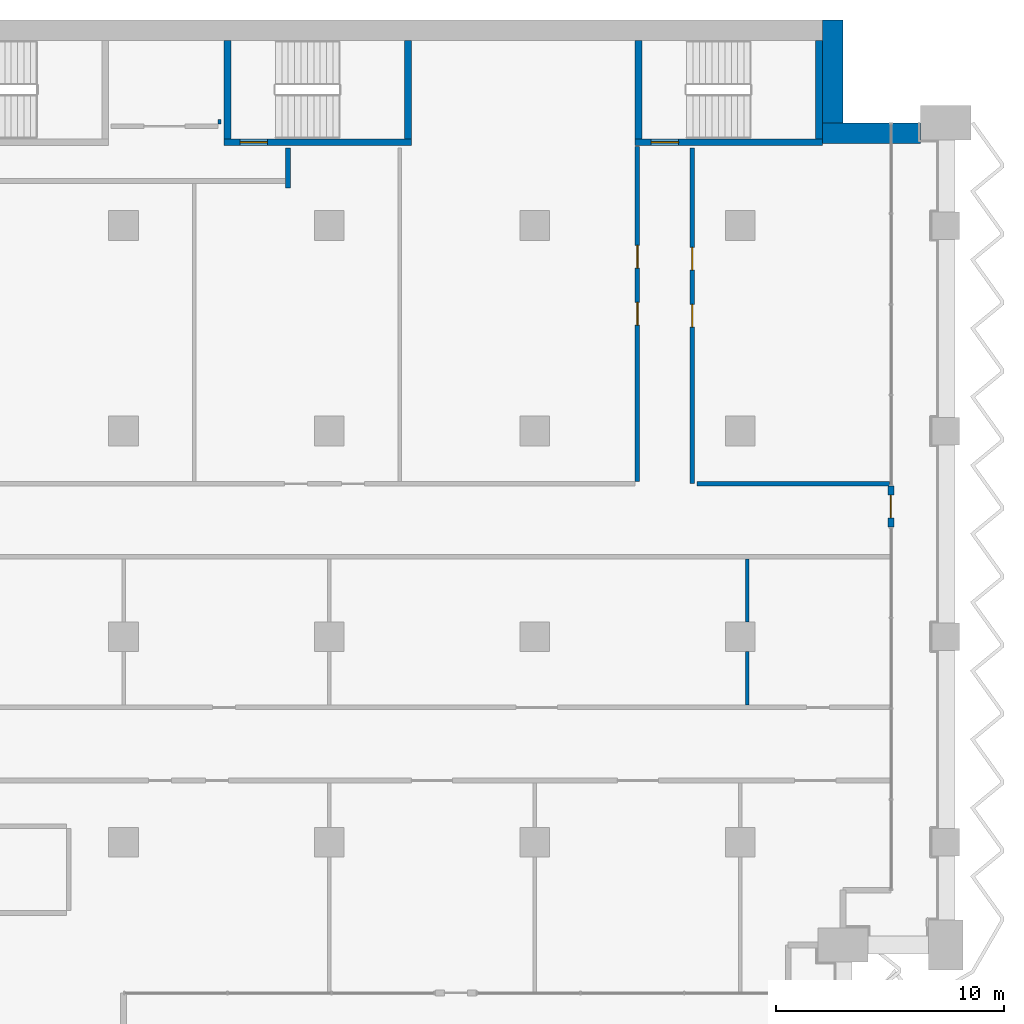
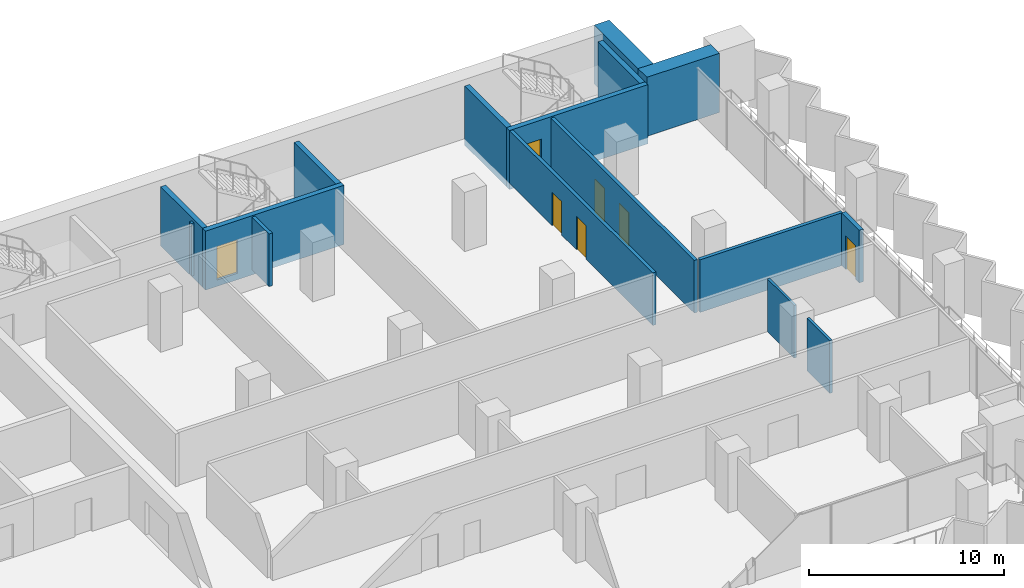
# One storey, part 15 of 23: 16 walls, 7 doors, 7 openings.
"""IFC4 building model written with IfcOpenShell, lengths in metres."""

from ifc_helpers import new_model, si_unit, direction, frame, frame_2d, origin, place, context, subcontext, project, spatial, rectangle, extrude, material, layer, layer_set, type_object, element, fill, save


model = new_model("IFC4")

# Units and contexts
model_context = context("Model", 3, precision=1e-05, world=origin(), true_north=direction((0.0, 1.0)))
body_context = subcontext(model_context, "Body", "Model", "MODEL_VIEW")
ifc_project = project(units=[si_unit("LENGTHUNIT", "METRE"), si_unit("AREAUNIT", "SQUARE_METRE"), si_unit("VOLUMEUNIT", "CUBIC_METRE"), si_unit("PLANEANGLEUNIT", "RADIAN"), si_unit("MASSUNIT", "GRAM", prefix="KILO")], contexts=[model_context])

# Site, building, storey
site_placement = place(None, origin())
site = spatial("IfcSite", under=ifc_project, at=site_placement, CompositionType="ELEMENT")
building_placement = place(site_placement, origin())
building = spatial("IfcBuilding", under=site, at=building_placement, Name="Hunhe Ridgeline Campus", CompositionType="ELEMENT")
storey_placement = place(building_placement, frame((0.0, 0.0, 103.300048828125)))
storey = spatial("IfcBuildingStorey", under=building, at=storey_placement, Name="L25", CompositionType="ELEMENT", Elevation=103.300048828125)

# Walls
ifc_material_1 = material(Name="Gypsum board partition")
ifc_layer_1 = layer(ifc_material_1, 0.199951171875)
ifc_layer_set_1 = layer_set([ifc_layer_1], Name="Corridor partition 200 gypsum board on steel studs")
wall_type_1 = type_object("IfcWallType", Name="Corridor partition 200 gypsum board on steel studs", PredefinedType="PARTITIONING", material=ifc_layer_set_1)
wall_1_placement = place(storey_placement, frame((70.09912109375, 78.699951171875, 0.0), z_axis=(0.0, 0.0, 1.0), x_axis=(1.0, 0.0, 0.0)))
element("IfcWall", 1, at=wall_1_placement, inside=storey, type_object=wall_type_1, Name="F-L25-wall-037", PredefinedType="PARTITIONING", context=body_context, shape_type="SweptSolid", body=[
    extrude(rectangle(XDim=8.44580078125, YDim=0.199951171875, at=frame_2d((4.222900390625, 0.0))), origin(), (0.0, 0.0, 1.0), 3.300048828125),
])
wall_2_placement = place(storey_placement, frame((52.199951171875, 93.39599609375, 0.0), z_axis=(0.0, 0.0, 1.0), x_axis=(0.0, -1.0, 0.0)))
element("IfcWall", 2, at=wall_2_placement, inside=storey, type_object=wall_type_1, Name="F-L25-wall-060", PredefinedType="PARTITIONING", context=body_context, shape_type="SweptSolid", body=[
    extrude(rectangle(XDim=1.74609375, YDim=0.199951171875, at=frame_2d((0.873046875, 0.0))), origin(), (0.0, 0.0, 1.0), 3.300048828125),
])

# Wall, openings, doors
wall_3_placement = place(storey_placement, frame((67.5, 78.800048828125, 0.0), z_axis=(0.0, 0.0, 1.0), x_axis=(0.0, 1.0, 0.0)))
wall_3 = element("IfcWall", 3, at=wall_3_placement, inside=storey, type_object=wall_type_1, Name="F-L25-wall-068", PredefinedType="PARTITIONING", context=body_context, shape_type="SweptSolid", body=[
    extrude(rectangle(XDim=14.669921875, YDim=0.199951171875, at=frame_2d((7.3349609375, 0.0))), origin(), (0.0, 0.0, 1.0), 3.300048828125),
])
opening_1_placement = place(wall_3_placement, frame((6.8349609375, 0.0, 0.0)))
opening_1 = element("IfcOpeningElement", 4, at=opening_1_placement, cuts=wall_3, Name="Opening RD1-033", PredefinedType="OPENING", context=body_context, shape_type="SweptSolid", body=[
    extrude(rectangle(XDim=1.0, YDim=2.10009765625, at=frame_2d((0.5, 1.050048828125))), frame((0.0, 0.10009765625, 0.0), z_axis=(0.0, -1.0, 0.0), x_axis=(1.0, 0.0, 0.0)), (0.0, 0.0, 1.0), 0.199951171875),
])
opening_2_placement = place(wall_3_placement, frame((9.3349609375, 0.0, 0.0)))
opening_2 = element("IfcOpeningElement", 5, at=opening_2_placement, cuts=wall_3, Name="Opening RD1-036", PredefinedType="OPENING", context=body_context, shape_type="SweptSolid", body=[
    extrude(rectangle(XDim=1.0, YDim=2.10009765625, at=frame_2d((0.5, 1.050048828125))), frame((0.0, 0.10009765625, 0.0), z_axis=(0.0, -1.0, 0.0), x_axis=(1.0, 0.0, 0.0)), (0.0, 0.0, 1.0), 0.199951171875),
])
ifc_material_2 = material(Name="Timber door leaf", Category="wood")
door_type_1 = type_object("IfcDoorType", Name="Single fire door 1000x2100 timber FD60", OperationType="NOTDEFINED", PredefinedType="DOOR", material=ifc_material_2)
door_1_placement = place(opening_1_placement, frame((1.0, 0.0, 0.0), z_axis=(0.0, 0.0, 1.0), x_axis=(-1.0, 0.0, 0.0)))
door_1 = element("IfcDoor", 6, at=door_1_placement, inside=storey, type_object=door_type_1, Name="F-L25-door-033", OperationType="SINGLE_SWING_RIGHT", OverallHeight=2.10009765625, OverallWidth=1.0, PredefinedType="DOOR", context=body_context, shape_type="SweptSolid", body=[
    extrude(rectangle(XDim=1.0, YDim=2.10009765625, at=frame_2d((0.5, 1.050048828125))), frame((0.0, 0.02490234375, 0.0), z_axis=(0.0, -1.0, 0.0), x_axis=(1.0, 0.0, 0.0)), (0.0, 0.0, 1.0), 0.050048828125),
])
fill(opening_1, door_1)
door_2_placement = place(opening_2_placement, frame((1.0, 0.0, 0.0), z_axis=(0.0, 0.0, 1.0), x_axis=(-1.0, 0.0, 0.0)))
door_2 = element("IfcDoor", 7, at=door_2_placement, inside=storey, type_object=door_type_1, Name="F-L25-door-036", OperationType="SINGLE_SWING_LEFT", OverallHeight=2.10009765625, OverallWidth=1.0, PredefinedType="DOOR", context=body_context, shape_type="SweptSolid", body=[
    extrude(rectangle(XDim=1.0, YDim=2.10009765625, at=frame_2d((0.5, 1.050048828125))), frame((0.0, 0.02490234375, 0.0), z_axis=(0.0, -1.0, 0.0), x_axis=(1.0, 0.0, 0.0)), (0.0, 0.0, 1.0), 0.050048828125),
])
fill(opening_2, door_2)

wall_4_placement = place(storey_placement, frame((69.89990234375, 93.39599609375, 0.0), z_axis=(0.0, 0.0, 1.0), x_axis=(0.0, -1.0, 0.0)))
wall_4 = element("IfcWall", 8, at=wall_4_placement, inside=storey, type_object=wall_type_1, Name="F-L25-wall-069", PredefinedType="PARTITIONING", context=body_context, shape_type="SweptSolid", body=[
    extrude(rectangle(XDim=14.696044921875, YDim=0.199951171875, at=frame_2d((7.34814453125, 0.0))), origin(), (0.0, 0.0, 1.0), 3.300048828125),
])
opening_3_placement = place(wall_4_placement, frame((6.847900390625, 0.0, 0.0)))
opening_3 = element("IfcOpeningElement", 9, at=opening_3_placement, cuts=wall_4, Name="Opening RD1-032", PredefinedType="OPENING", context=body_context, shape_type="SweptSolid", body=[
    extrude(rectangle(XDim=1.0, YDim=2.10009765625, at=frame_2d((0.5, 1.050048828125))), frame((0.0, 0.10009765625, 0.0), z_axis=(0.0, -1.0, 0.0), x_axis=(1.0, 0.0, 0.0)), (0.0, 0.0, 1.0), 0.199951171875),
])
opening_4_placement = place(wall_4_placement, frame((4.347900390625, 0.0, 0.0)))
opening_4 = element("IfcOpeningElement", 10, at=opening_4_placement, cuts=wall_4, Name="Opening RD1-035", PredefinedType="OPENING", context=body_context, shape_type="SweptSolid", body=[
    extrude(rectangle(XDim=1.0, YDim=2.10009765625, at=frame_2d((0.5, 1.050048828125))), frame((0.0, 0.10009765625, 0.0), z_axis=(0.0, -1.0, 0.0), x_axis=(1.0, 0.0, 0.0)), (0.0, 0.0, 1.0), 0.199951171875),
])
door_3_placement = place(opening_3_placement, frame((1.0, 0.0, 0.0), z_axis=(0.0, 0.0, 1.0), x_axis=(-1.0, 0.0, 0.0)))
door_3 = element("IfcDoor", 11, at=door_3_placement, inside=storey, type_object=door_type_1, Name="F-L25-door-032", OperationType="SINGLE_SWING_RIGHT", OverallHeight=2.10009765625, OverallWidth=1.0, PredefinedType="DOOR", context=body_context, shape_type="SweptSolid", body=[
    extrude(rectangle(XDim=1.0, YDim=2.10009765625, at=frame_2d((0.5, 1.050048828125))), frame((0.0, 0.02490234375, 0.0), z_axis=(0.0, -1.0, 0.0), x_axis=(1.0, 0.0, 0.0)), (0.0, 0.0, 1.0), 0.050048828125),
])
fill(opening_3, door_3)
door_4_placement = place(opening_4_placement, frame((1.0, 0.0, 0.0), z_axis=(0.0, 0.0, 1.0), x_axis=(-1.0, 0.0, 0.0)))
door_4 = element("IfcDoor", 12, at=door_4_placement, inside=storey, type_object=door_type_1, Name="F-L25-door-035", OperationType="SINGLE_SWING_RIGHT", OverallHeight=2.10009765625, OverallWidth=1.0, PredefinedType="DOOR", context=body_context, shape_type="SweptSolid", body=[
    extrude(rectangle(XDim=1.0, YDim=2.10009765625, at=frame_2d((0.5, 1.050048828125))), frame((0.0, 0.02490234375, 0.0), z_axis=(0.0, -1.0, 0.0), x_axis=(1.0, 0.0, 0.0)), (0.0, 0.0, 1.0), 0.050048828125),
])
fill(opening_4, door_4)

# Wall, opening, door
ifc_material_3 = material(Name="Concrete C30", Category="concrete")
ifc_layer_2 = layer(ifc_material_3, 0.25)
ifc_layer_set_2 = layer_set([ifc_layer_2], Name="Loggia door pier wall 250 Concrete C30")
wall_type_2 = type_object("IfcWallType", Name="Loggia door pier wall 250 Concrete C30", PredefinedType="SOLIDWALL", material=ifc_layer_set_2)
wall_5_placement = place(storey_placement, frame((78.59912109375, 76.800537109375, 0.0), z_axis=(0.0, 0.0, 1.0), x_axis=(0.0, 1.0, 0.0)))
wall_5 = element("IfcWall", 13, at=wall_5_placement, inside=storey, type_object=wall_type_2, Name="Loggia door pier 4", PredefinedType="SOLIDWALL", context=body_context, shape_type="SweptSolid", body=[
    extrude(rectangle(XDim=1.800048828125, YDim=0.25, at=frame_2d((0.89990234375, 0.0))), origin(), (0.0, 0.0, 1.0), 3.300048828125),
])
opening_5_placement = place(wall_5_placement, frame((0.39990234375, 0.0, 0.0)))
opening_5 = element("IfcOpeningElement", 14, at=opening_5_placement, cuts=wall_5, Name="Opening BD207", PredefinedType="OPENING", context=body_context, shape_type="SweptSolid", body=[
    extrude(rectangle(XDim=1.0, YDim=2.10009765625, at=frame_2d((0.5, 1.050048828125))), frame((0.0, 0.125, 0.0), z_axis=(0.0, -1.0, 0.0), x_axis=(1.0, 0.0, 0.0)), (0.0, 0.0, 1.0), 0.25),
])
ifc_material_4 = material(Name="Aluminium 6063", Category="aluminium")
door_type_2 = type_object("IfcDoorType", Name="Loggia glazed door 1000x2100", OperationType="NOTDEFINED", PredefinedType="DOOR", material=ifc_material_4)
door_5_placement = place(opening_5_placement, frame((1.0, 0.0, 0.0), z_axis=(0.0, 0.0, 1.0), x_axis=(-1.0, 0.0, 0.0)))
door_5 = element("IfcDoor", 15, at=door_5_placement, inside=storey, type_object=door_type_2, Name="Loggia door BD207", OperationType="SINGLE_SWING_RIGHT", OverallHeight=2.10009765625, OverallWidth=1.0, PredefinedType="DOOR", context=body_context, shape_type="SweptSolid", body=[
    extrude(rectangle(XDim=1.0, YDim=2.10009765625, at=frame_2d((0.5, 1.050048828125))), frame((0.0, 0.02490234375, 0.0), z_axis=(0.0, -1.0, 0.0), x_axis=(1.0, 0.0, 0.0)), (0.0, 0.0, 1.0), 0.050048828125),
])
fill(opening_5, door_5)

# Walls
ifc_layer_3 = layer(ifc_material_1, 0.14990234375)
ifc_layer_set_3 = layer_set([ifc_layer_3], Name="Room partition 150 gypsum board on steel studs")
wall_type_3 = type_object("IfcWallType", Name="Room partition 150 gypsum board on steel studs", PredefinedType="PARTITIONING", material=ifc_layer_set_3)
wall_6_placement = place(storey_placement, frame((49.199951171875, 94.64990234375, 0.0), z_axis=(0.0, 0.0, 1.0), x_axis=(0.0, -1.0, 0.0)))
element("IfcWall", 16, at=wall_6_placement, inside=storey, type_object=wall_type_3, Name="F-L25-wall-059", PredefinedType="PARTITIONING", context=body_context, shape_type="SweptSolid", body=[
    extrude(rectangle(XDim=0.199951171875, YDim=0.14990234375, at=frame_2d((0.10009765625, 0.0))), origin(), (0.0, 0.0, 1.0), 3.300048828125),
])
wall_7_placement = place(storey_placement, frame((72.300048828125, 71.35009765625, 0.0), z_axis=(0.0, 0.0, 1.0), x_axis=(0.0, -1.0, 0.0)))
element("IfcWall", 17, at=wall_7_placement, inside=storey, type_object=wall_type_3, Name="F-L25-wall-072", PredefinedType="PARTITIONING", context=body_context, shape_type="SweptSolid", body=[
    extrude(rectangle(XDim=2.35009765625, YDim=0.14990234375, at=frame_2d((1.175048828125, 0.0))), origin(), (0.0, 0.0, 1.0), 3.300048828125),
])
wall_8_placement = place(storey_placement, frame((72.300048828125, 75.39990234375, 0.0), z_axis=(0.0, 0.0, 1.0), x_axis=(0.0, -1.0, 0.0)))
element("IfcWall", 18, at=wall_8_placement, inside=storey, type_object=wall_type_3, Name="F-L25-wall-073", PredefinedType="PARTITIONING", context=body_context, shape_type="SweptSolid", body=[
    extrude(rectangle(XDim=2.75, YDim=0.14990234375, at=frame_2d((1.375, 0.0))), origin(), (0.0, 0.0, 1.0), 3.300048828125),
])
ifc_material_5 = material(Name="Concrete C70", Category="concrete")
ifc_layer_4 = layer(ifc_material_5, 0.89990234375)
ifc_layer_set_4 = layer_set([ifc_layer_4], Name="Spine wall 900 Concrete C70")
wall_type_4 = type_object("IfcWallType", Name="Spine wall 900 Concrete C70", PredefinedType="SHEAR", material=ifc_layer_set_4)
wall_9_placement = place(storey_placement, frame((79.89990234375, 94.050048828125, 0.0), z_axis=(0.0, 0.0, 1.0), x_axis=(-1.0, 0.0, 0.0)))
element("IfcWall", 19, at=wall_9_placement, inside=storey, type_object=wall_type_4, Name="Spine wall SW2-2 L25", PredefinedType="SHEAR", context=body_context, shape_type="SweptSolid", body=[
    extrude(rectangle(XDim=4.30029296875, YDim=0.89990234375, at=frame_2d((2.150146484375, 0.0))), origin(), (0.0, 0.0, 1.0), 3.699951171875),
])
wall_10_placement = place(storey_placement, frame((76.050048828125, 93.60009765625, 0.0), z_axis=(0.0, 0.0, 1.0), x_axis=(0.0, 1.0, 0.0)))
element("IfcWall", 20, at=wall_10_placement, inside=storey, type_object=wall_type_4, Name="Spine wall SW2-3 L25", PredefinedType="SHEAR", context=body_context, shape_type="SweptSolid", body=[
    extrude(rectangle(XDim=5.39990234375, YDim=0.89990234375, at=frame_2d((2.699951171875, 0.0))), origin(), (0.0, 0.0, 1.0), 3.699951171875),
])

# Wall, opening, door
ifc_material_6 = material(Name="Concrete C80", Category="concrete")
ifc_layer_5 = layer(ifc_material_6, 0.300048828125)
ifc_layer_set_5 = layer_set([ifc_layer_5], Name="Stair wall 300 reinforced concrete C80")
wall_type_5 = type_object("IfcWallType", Name="Stair wall 300 reinforced concrete C80", PredefinedType="SOLIDWALL", material=ifc_layer_set_5)
wall_11_placement = place(storey_placement, frame((49.39990234375, 93.64990234375, -0.400146484375), z_axis=(0.0, 0.0, 1.0), x_axis=(1.0, 0.0, 0.0)))
wall_11 = element("IfcWall", 21, at=wall_11_placement, inside=storey, type_object=wall_type_5, Name="L25 core wall 29", PredefinedType="SOLIDWALL", context=body_context, shape_type="SweptSolid", body=[
    extrude(rectangle(XDim=8.2001953125, YDim=0.300048828125, at=frame_2d((4.10009765625, 0.0))), origin(), (0.0, 0.0, 1.0), 3.7001953125),
])
opening_6_placement = place(wall_11_placement, frame((0.699951171875, 0.0, 0.39990234375)))
opening_6 = element("IfcOpeningElement", 22, at=opening_6_placement, cuts=wall_11, Name="Opening CD18", PredefinedType="OPENING", context=body_context, shape_type="SweptSolid", body=[
    extrude(rectangle(XDim=1.199951171875, YDim=2.10009765625, at=frame_2d((0.60009765625, 1.050048828125))), frame((0.0, 0.14990234375, 0.0), z_axis=(0.0, -1.0, 0.0), x_axis=(1.0, 0.0, 0.0)), (0.0, 0.0, 1.0), 0.300048828125),
])
ifc_material_7 = material(Name="Hollow metal fire door leaf")
door_type_3 = type_object("IfcDoorType", Name="Stair door 1200x2100 FD60", OperationType="SINGLE_SWING_LEFT", PredefinedType="DOOR", material=ifc_material_7)
door_6_placement = place(opening_6_placement, frame((1.199951171875, 0.0, 0.0), z_axis=(0.0, 0.0, 1.0), x_axis=(-1.0, 0.0, 0.0)))
door_6 = element("IfcDoor", 23, at=door_6_placement, inside=storey, type_object=door_type_3, Name="L25 door E2", OperationType="SINGLE_SWING_LEFT", OverallHeight=2.10009765625, OverallWidth=1.199951171875, PredefinedType="DOOR", context=body_context, shape_type="SweptSolid", body=[
    extrude(rectangle(XDim=1.199951171875, YDim=2.10009765625, at=frame_2d((0.60009765625, 1.050048828125))), frame((0.0, 0.02490234375, 0.0), z_axis=(0.0, -1.0, 0.0), x_axis=(1.0, 0.0, 0.0)), (0.0, 0.0, 1.0), 0.050048828125),
])
fill(opening_6, door_6)

wall_12_placement = place(storey_placement, frame((67.39990234375, 93.64990234375, -0.400146484375), z_axis=(0.0, 0.0, 1.0), x_axis=(1.0, 0.0, 0.0)))
wall_12 = element("IfcWall", 24, at=wall_12_placement, inside=storey, type_object=wall_type_5, Name="L25 core wall 30", PredefinedType="SOLIDWALL", context=body_context, shape_type="SweptSolid", body=[
    extrude(rectangle(XDim=8.2001953125, YDim=0.300048828125, at=frame_2d((4.10009765625, 0.0))), origin(), (0.0, 0.0, 1.0), 3.7001953125),
])
opening_7_placement = place(wall_12_placement, frame((0.699951171875, 0.0, 0.39990234375)))
opening_7 = element("IfcOpeningElement", 25, at=opening_7_placement, cuts=wall_12, Name="Opening CD19", PredefinedType="OPENING", context=body_context, shape_type="SweptSolid", body=[
    extrude(rectangle(XDim=1.199951171875, YDim=2.10009765625, at=frame_2d((0.60009765625, 1.050048828125))), frame((0.0, 0.14990234375, 0.0), z_axis=(0.0, -1.0, 0.0), x_axis=(1.0, 0.0, 0.0)), (0.0, 0.0, 1.0), 0.300048828125),
])
door_7_placement = place(opening_7_placement, frame((1.199951171875, 0.0, 0.0), z_axis=(0.0, 0.0, 1.0), x_axis=(-1.0, 0.0, 0.0)))
door_7 = element("IfcDoor", 26, at=door_7_placement, inside=storey, type_object=door_type_3, Name="L25 door E3", OperationType="SINGLE_SWING_RIGHT", OverallHeight=2.10009765625, OverallWidth=1.199951171875, PredefinedType="DOOR", context=body_context, shape_type="SweptSolid", body=[
    extrude(rectangle(XDim=1.199951171875, YDim=2.10009765625, at=frame_2d((0.60009765625, 1.050048828125))), frame((0.0, 0.02490234375, 0.0), z_axis=(0.0, -1.0, 0.0), x_axis=(1.0, 0.0, 0.0)), (0.0, 0.0, 1.0), 0.050048828125),
])
fill(opening_7, door_7)

# Walls
for number, where, z_axis, x_axis, name in (
    (27, (49.550048828125, 93.800048828125, -0.400146484375), (0.0, 0.0, 1.0), (0.0, 1.0, 0.0), "L25 core wall 64"),
    (28, (57.449951171875, 93.800048828125, -0.400146484375), (0.0, 0.0, 1.0), (0.0, 1.0, 0.0), "L25 core wall 65"),
    (29, (67.550048828125, 93.800048828125, -0.400146484375), (0.0, 0.0, 1.0), (0.0, 1.0, 0.0), "L25 core wall 66"),
    (30, (75.449951171875, 93.800048828125, -0.400146484375), (0.0, 0.0, 1.0), (0.0, 1.0, 0.0), "L25 core wall 67"),
):
    element("IfcWall", number, at=place(storey_placement, frame(where, z_axis=z_axis, x_axis=x_axis)), inside=storey, type_object=wall_type_5, Name=name, PredefinedType="SOLIDWALL", context=body_context, shape_type="SweptSolid", body=[
        extrude(rectangle(XDim=4.300048828125, YDim=0.300048828125, at=frame_2d((2.14990234375, 0.0))), origin(), (0.0, 0.0, 1.0), 3.7001953125),
    ])

save(model, "model.ifc")
